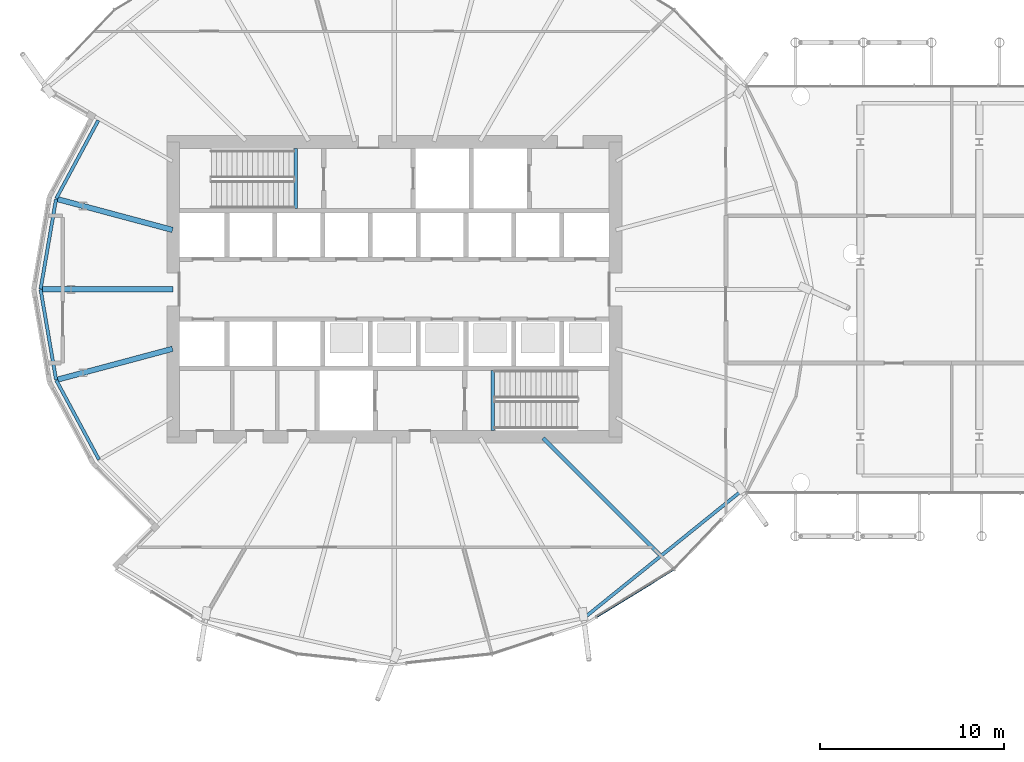
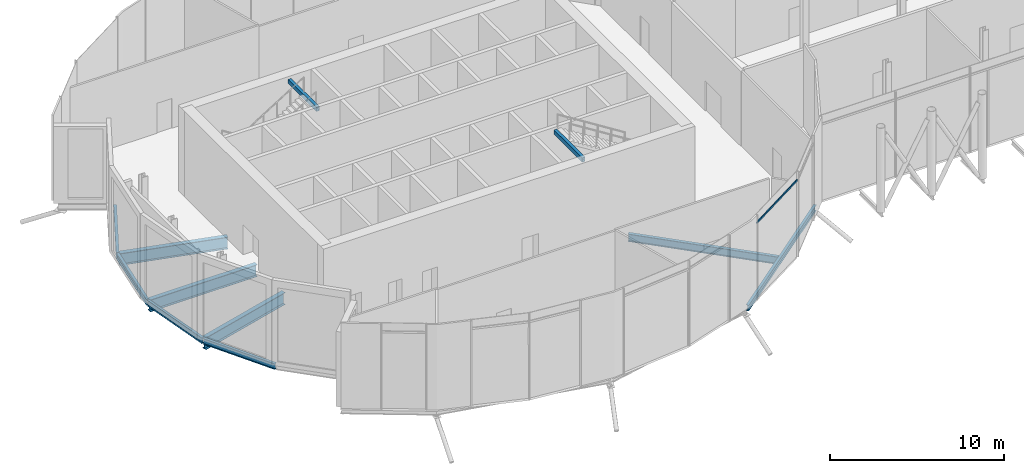
# One storey, part 4 of 38: 11 beams, 1 member, 1 element without a shape of its own.
"""IFC4 building model written with IfcOpenShell, lengths in metres."""

from ifc_helpers import new_model, si_unit, direction, frame, origin, origin_2d, place, context, subcontext, project, spatial, rectangle, hollow_rectangle, i_section, extrude, material, material_profile, profile_set, type_object, element, aggregate, save


model = new_model("IFC4")

# Units and contexts
model_context = context("Model", 3, precision=1e-05, world=origin(), true_north=direction((0.0, 1.0)))
body_context = subcontext(model_context, "Body", "Model", "MODEL_VIEW")
ifc_project = project(units=[si_unit("LENGTHUNIT", "METRE"), si_unit("AREAUNIT", "SQUARE_METRE"), si_unit("VOLUMEUNIT", "CUBIC_METRE"), si_unit("PLANEANGLEUNIT", "RADIAN"), si_unit("MASSUNIT", "GRAM", prefix="KILO")], contexts=[model_context])

# Site, building, storey
site_placement = place(None, origin())
site = spatial("IfcSite", under=ifc_project, at=site_placement, CompositionType="ELEMENT")
building_placement = place(site_placement, origin())
building = spatial("IfcBuilding", under=site, at=building_placement, Name="Rimbun Link Towers", CompositionType="ELEMENT")
storey_placement = place(building_placement, frame((0.0, 0.0, 133.199951171875)))
storey = spatial("IfcBuildingStorey", under=building, at=storey_placement, Name="L32", CompositionType="ELEMENT", Elevation=133.199951171875)

# Curtain wall, member
ifc_material_1 = material(Name="Aluminium 6063-T6 and low-iron glass", Category="aluminium")
curtain_wall_type = type_object("IfcCurtainWallType", Name="CW5 full height lobby wall", PredefinedType="NOTDEFINED", material=ifc_material_1)
curtain_wall_placement = place(storey_placement, origin())
curtain_wall = element("IfcCurtainWall", 1, at=curtain_wall_placement, inside=storey, type_object=curtain_wall_type, Name="CW5 L32 T1", PredefinedType="NOTDEFINED")
ifc_material_2 = material(Name="Aluminium 6063-T6", Category="aluminium")
ifc_material_profile_1 = material_profile(ifc_material_2, rectangle(XDim=0.06005859375, YDim=0.1201171875, at=origin_2d()), Name="TRANSOM 60X120")
ifc_profile_set_1 = profile_set([ifc_material_profile_1], Name="Aluminium 6063-T6")
member_type = type_object("IfcMemberType", Name="CW5 transom 60X120", PredefinedType="USERDEFINED", material=ifc_profile_set_1)
member_placement = place(storey_placement, frame((-16.5888671875, -15.22265625, 5.400146484375), z_axis=(-0.852182554645, -0.523244582923, 0.0), x_axis=(0.523244582923, -0.852182554645, 0.0)))
member = element("IfcMember", 2, at=member_placement, type_object=member_type, Name="CW5 transom", ObjectType="TRANSOM", PredefinedType="USERDEFINED", context=body_context, shape_type="SweptSolid", body=[
    extrude(rectangle(XDim=0.06005859375, YDim=0.1201171875, at=origin_2d()), origin(), (0.0, 0.0, 1.0), 4.888916015625),
])
aggregate(curtain_wall, [member])

# Beams
ifc_material_3 = material(Name="Steel S355J2", Category="steel")
ifc_material_profile_2 = material_profile(ifc_material_3, hollow_rectangle(XDim=0.199951171875, YDim=0.300048828125, WallThickness=0.011962890625, at=origin_2d()), Name="BOX 300x200x12")
ifc_profile_set_2 = profile_set([ifc_material_profile_2], Name="Steel S355J2")
beam_type_1 = type_object("IfcBeamType", Name="Stair trimmer beam BOX 300x200x12", PredefinedType="BEAM", material=ifc_profile_set_2)
for number, where, z_axis, x_axis, name in (
    (3, (-37.10009765625, 7.64990234375, 5.670166015625), (0.0, -1.0, 0.0), (1.0, 0.0, 0.0), "L32 ST1 stair beam 1"),
    (4, (-26.39990234375, -7.64990234375, 5.670166015625), (0.0, 1.0, 0.0), (-1.0, 0.0, 0.0), "L32 ST2 stair beam 1"),
):
    element("IfcBeam", number, at=place(storey_placement, frame(where, z_axis=z_axis, x_axis=x_axis)), inside=storey, type_object=beam_type_1, Name=name, PredefinedType="BEAM", context=body_context, shape_type="SweptSolid", body=[
        extrude(hollow_rectangle(XDim=0.199951171875, YDim=0.300048828125, WallThickness=0.011962890625, at=origin_2d()), origin(), (0.0, 0.0, 1.0), 3.25),
    ])
ifc_material_4 = material(Name="Steel S355J2", Category="steel")
ifc_material_profile_3 = material_profile(ifc_material_4, i_section(OverallWidth=0.177978515625, OverallDepth=0.406494140625, WebThickness=0.0078125, FlangeThickness=0.0126953125, at=origin_2d()), Name="UB 406x178x60")
ifc_profile_set_3 = profile_set([ifc_material_profile_3], Name="Steel S355J2")
beam_type_2 = type_object("IfcBeamType", Name="UB 406x178x60", PredefinedType="BEAM", material=ifc_profile_set_3)
beam_1_placement = place(storey_placement, frame((-47.81884765625, 9.17041015625, -0.383056640625), z_axis=(-0.474036297712, -0.880505302909, 0.0), x_axis=(0.880505302909, -0.474036297712, 0.0)))
element("IfcBeam", 5, at=beam_1_placement, inside=storey, type_object=beam_type_2, Name="Edge beam T1 L32 10 recess", PredefinedType="BEAM", context=body_context, shape_type="SweptSolid", body=[
    extrude(i_section(OverallWidth=0.177978515625, OverallDepth=0.406494140625, WebThickness=0.0078125, FlangeThickness=0.0126953125, at=origin_2d()), origin(), (0.0, 0.0, 1.0), 4.81298828125),
])
for number, where, z_axis, x_axis, name in (
    (6, (-50.1103515625, 4.903564453125, -0.383056640625), (-0.168780690541, -0.985653630085, 0.0), (0.985653630085, -0.168780690541, 0.0), "Edge beam T1 L32 11 recess"),
    (7, (-50.947265625, -0.01611328125, -0.383056640625), (0.168780690541, -0.985653630085, 0.0), (0.985653630085, 0.168780690541, 0.0), "Edge beam T1 L32 12 recess"),
):
    element("IfcBeam", number, at=place(storey_placement, frame(where, z_axis=z_axis, x_axis=x_axis)), inside=storey, type_object=beam_type_2, Name=name, PredefinedType="BEAM", context=body_context, shape_type="SweptSolid", body=[
        extrude(i_section(OverallWidth=0.177978515625, OverallDepth=0.406494140625, WebThickness=0.0078125, FlangeThickness=0.0126953125, at=origin_2d()), origin(), (0.0, 0.0, 1.0), 4.95849609375),
    ])
beam_2_placement = place(storey_placement, frame((-50.100341796875, -4.9326171875, -0.383056640625), z_axis=(0.474061129578, -0.880491933764, 0.0), x_axis=(0.880491933764, 0.474061129578, 0.0)))
element("IfcBeam", 8, at=beam_2_placement, inside=storey, type_object=beam_type_2, Name="Edge beam T1 L32 13 recess", PredefinedType="BEAM", context=body_context, shape_type="SweptSolid", body=[
    extrude(i_section(OverallWidth=0.177978515625, OverallDepth=0.406494140625, WebThickness=0.0078125, FlangeThickness=0.0126953125, at=origin_2d()), origin(), (0.0, 0.0, 1.0), 4.891357421875),
])
beam_3_placement = place(storey_placement, frame((-21.36181640625, -17.763427734375, -0.383056640625), z_axis=(0.77798655313, 0.628280926934, 0.0), x_axis=(-0.628280926934, 0.77798655313, 0.0)))
element("IfcBeam", 9, at=beam_3_placement, inside=storey, type_object=beam_type_2, Name="Edge beam T1 L32 20-22", PredefinedType="BEAM", context=body_context, shape_type="SweptSolid", body=[
    extrude(i_section(OverallWidth=0.177978515625, OverallDepth=0.406494140625, WebThickness=0.0078125, FlangeThickness=0.0126953125, at=origin_2d()), origin(), (0.0, 0.0, 1.0), 10.82373046875),
])
ifc_material_5 = material(Name="Steel S355J2", Category="steel")
ifc_material_profile_4 = material_profile(ifc_material_5, i_section(OverallWidth=0.209228515625, OverallDepth=0.533203125, WebThickness=0.010009765625, FlangeThickness=0.015625, at=origin_2d()), Name="UB 533x210x92")
ifc_profile_set_4 = profile_set([ifc_material_profile_4], Name="Steel S355J2")
beam_type_3 = type_object("IfcBeamType", Name="UB 533x210x92", PredefinedType="BEAM", material=ifc_profile_set_4)
beam_4_placement = place(storey_placement, frame((-23.67529296875, -8.07470703125, -0.446533203125), z_axis=(0.707106781187, -0.707106781187, 0.0), x_axis=(0.707106781187, 0.707106781187, 0.0)))
element("IfcBeam", 10, at=beam_4_placement, inside=storey, type_object=beam_type_3, Name="Radial beam T1 L32 21", PredefinedType="BEAM", context=body_context, shape_type="SweptSolid", body=[
    extrude(i_section(OverallWidth=0.209228515625, OverallDepth=0.533203125, WebThickness=0.010009765625, FlangeThickness=0.015625, at=origin_2d()), origin(), (0.0, 0.0, 1.0), 8.951416015625),
])
ifc_material_6 = material(Name="Steel S355J2", Category="steel")
ifc_material_profile_5 = material_profile(ifc_material_6, i_section(OverallWidth=0.29248046875, OverallDepth=0.8408203125, WebThickness=0.0126953125, FlangeThickness=0.021728515625, at=origin_2d()), Name="UB 838x292x194")
ifc_profile_set_5 = profile_set([ifc_material_profile_5], Name="Steel S355J2")
beam_type_4 = type_object("IfcBeamType", Name="UB 838x292x194", PredefinedType="BEAM", material=ifc_profile_set_5)
beam_5_placement = place(storey_placement, frame((-43.788818359375, 3.225830078125, -0.600341796875), z_axis=(-0.96592964011, 0.258804811311, 0.0), x_axis=(-0.258804811311, -0.96592964011, 0.0)))
element("IfcBeam", 11, at=beam_5_placement, inside=storey, type_object=beam_type_4, Name="Radial beam T1 L32 11", PredefinedType="BEAM", context=body_context, shape_type="SweptSolid", body=[
    extrude(i_section(OverallWidth=0.29248046875, OverallDepth=0.8408203125, WebThickness=0.0126953125, FlangeThickness=0.021728515625, at=origin_2d()), origin(), (0.0, 0.0, 1.0), 6.451416015625),
])
beam_6_placement = place(storey_placement, frame((-43.7509765625, 0.0, -0.600341796875), z_axis=(-1.0, 0.0, 0.0), x_axis=(0.0, -1.0, 0.0)))
element("IfcBeam", 12, at=beam_6_placement, inside=storey, type_object=beam_type_4, Name="Radial beam T1 L32 12", PredefinedType="BEAM", context=body_context, shape_type="SweptSolid", body=[
    extrude(i_section(OverallWidth=0.29248046875, OverallDepth=0.8408203125, WebThickness=0.0126953125, FlangeThickness=0.021728515625, at=origin_2d()), origin(), (0.0, 0.0, 1.0), 7.109130859375),
])
beam_7_placement = place(storey_placement, frame((-43.788818359375, -3.225830078125, -0.600341796875), z_axis=(-0.96592964011, -0.258804811311, 0.0), x_axis=(0.258804811311, -0.96592964011, 0.0)))
element("IfcBeam", 13, at=beam_7_placement, inside=storey, type_object=beam_type_4, Name="Radial beam T1 L32 13", PredefinedType="BEAM", context=body_context, shape_type="SweptSolid", body=[
    extrude(i_section(OverallWidth=0.29248046875, OverallDepth=0.8408203125, WebThickness=0.0126953125, FlangeThickness=0.021728515625, at=origin_2d()), origin(), (0.0, 0.0, 1.0), 6.451416015625),
])

save(model, "model.ifc")
